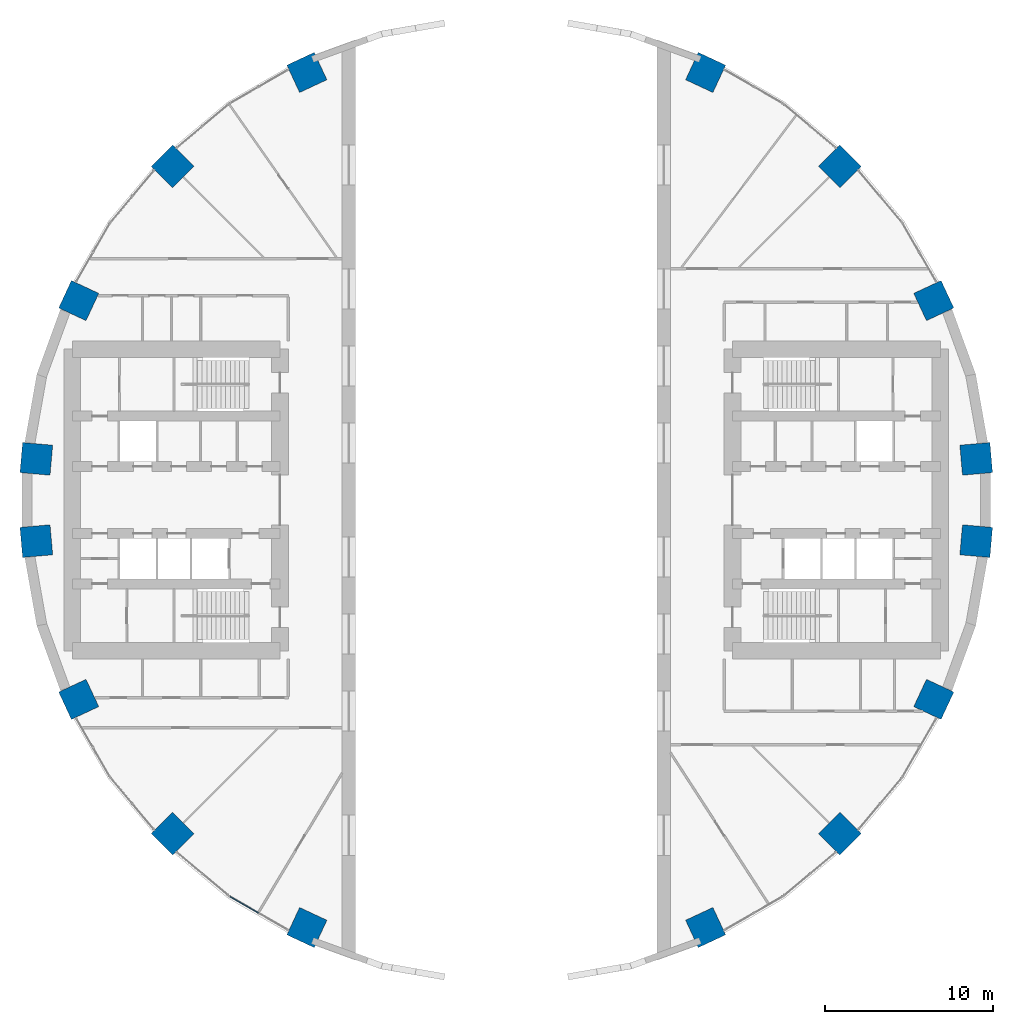
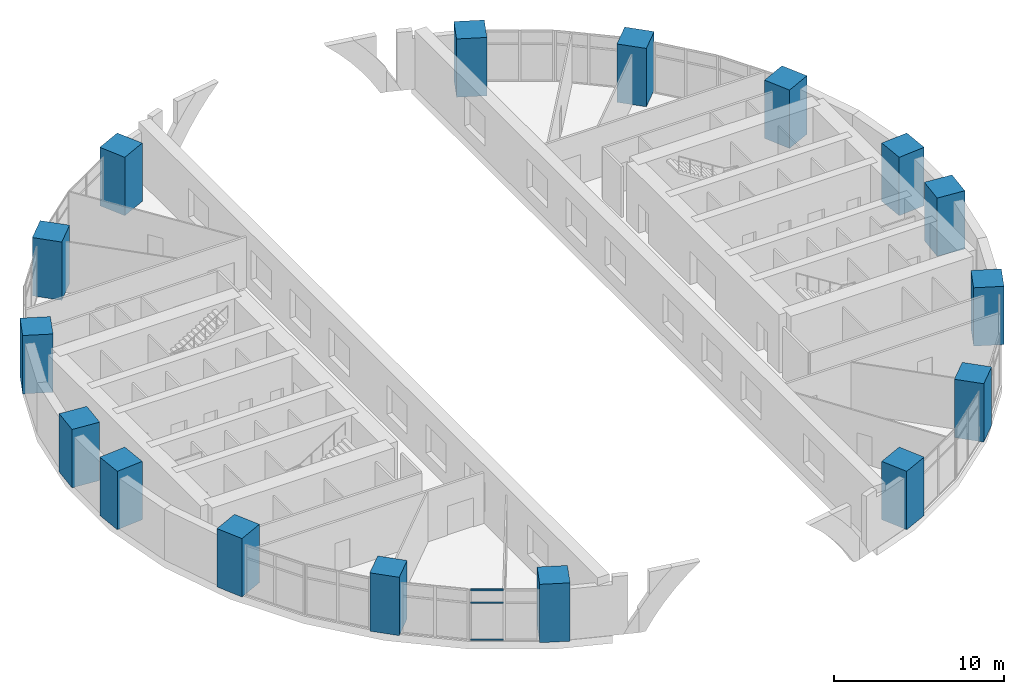
# One storey, part 1 of 13: 16 columns, 3 members, 1 element without a shape of its own.
"""IFC4 building model written with IfcOpenShell, lengths in metres."""

import ifcopenshell
import ifcopenshell.guid

model = None  # the IFC model being written
_history = None  # IfcOwnerHistory: only IFC2X3 demands one
_inside = {}  # id of a spatial element -> (the spatial element, [elements in it])
_under = {}  # id of a project, library or spatial element -> (it, [spatial elements below it])
_declared = {}  # id of a project -> (the project, [libraries it declares])
_typed = {}  # id of a type object -> (the type object, [elements of that type])
_made_of = {}  # id of a material, layer set ... -> (it, [elements and type objects made of it])


def new_model(schema):
    """Start an empty IFC model of exactly this schema.

    Asked for "IFC4X3", IfcOpenShell would pick the latest addendum, in which some entities
    have other attributes; the version numbers below select the first issue.
    IFC2X3 requires an IfcOwnerHistory on every rooted entity: one is made here for all.
    """
    global model, _history
    if schema == "IFC4X3":
        model = ifcopenshell.file(schema_version=(4, 3, 0, 0))
    else:
        model = ifcopenshell.file(schema=schema)
    _inside.clear()
    _under.clear()
    _declared.clear()
    _typed.clear()
    _made_of.clear()
    _history = None
    if model.schema == "IFC2X3":
        org = make("IfcOrganization", Name="unknown")
        user = make(
            "IfcPersonAndOrganization",
            ThePerson=make("IfcPerson", FamilyName="unknown"),
            TheOrganization=org,
        )
        app = make(
            "IfcApplication",
            ApplicationDeveloper=org,
            Version="unknown",
            ApplicationFullName="unknown",
            ApplicationIdentifier="unknown",
        )
        _history = make(
            "IfcOwnerHistory",
            OwningUser=user,
            OwningApplication=app,
            ChangeAction="ADDED",
            CreationDate=0,
        )
    return model


def make(cls, **values):
    """One entity of the class cls with the attributes given. An attribute that is None is left unset."""
    return model.create_entity(
        cls, **{name: value for name, value in values.items() if value is not None}
    )


def rooted(cls, **values):
    """An entity with a GlobalId (a new one), such as an element, a storey or a relation."""
    return make(cls, GlobalId=ifcopenshell.guid.new(), OwnerHistory=_history, **values)


def si_unit(unit_type, name, prefix=None):
    """IfcSIUnit, for example si_unit("LENGTHUNIT", "METRE", prefix="MILLI")."""
    return make("IfcSIUnit", UnitType=unit_type, Prefix=prefix, Name=name)


def assignment(units):
    """IfcUnitAssignment: the units of a project."""
    return None if units is None else make("IfcUnitAssignment", Units=units)


def point(xyz):
    """IfcCartesianPoint."""
    return None if xyz is None else make("IfcCartesianPoint", Coordinates=xyz)


def direction(xyz):
    """IfcDirection."""
    return None if xyz is None else make("IfcDirection", DirectionRatios=xyz)


def frame(location, z_axis=None, x_axis=None):
    """IfcAxis2Placement3D, a coordinate frame: its origin and axes. An axis left out is left unset."""
    return make(
        "IfcAxis2Placement3D",
        Location=point(location),
        Axis=direction(z_axis),
        RefDirection=direction(x_axis),
    )


def frame_2d(location, x_axis=None):
    """IfcAxis2Placement2D, a coordinate frame in the plane: its origin and x axis."""
    return make(
        "IfcAxis2Placement2D", Location=point(location), RefDirection=direction(x_axis)
    )


def origin():
    """The frame at (0, 0, 0) with its axes left unset."""
    return frame((0.0, 0.0, 0.0))


def origin_2d():
    """The frame at (0, 0) in the plane with its x axis left unset."""
    return frame_2d((0.0, 0.0))


def place(relative_to, where):
    """IfcLocalPlacement: puts the frame where relative to a parent placement (None: the world)."""
    return make(
        "IfcLocalPlacement", PlacementRelTo=relative_to, RelativePlacement=where
    )


def context(
    kind, dimensions, precision=None, world=None, true_north=None, identifier=None
):
    """IfcGeometricRepresentationContext, for example the 3D "Model" context."""
    return make(
        "IfcGeometricRepresentationContext",
        ContextIdentifier=identifier,
        ContextType=kind,
        CoordinateSpaceDimension=dimensions,
        Precision=precision,
        WorldCoordinateSystem=world,
        TrueNorth=true_north,
    )


def subcontext(parent, identifier, kind, view, scale=None):
    """IfcGeometricRepresentationSubContext, for example "Body" below "Model"."""
    return make(
        "IfcGeometricRepresentationSubContext",
        ContextIdentifier=identifier,
        ContextType=kind,
        ParentContext=parent,
        TargetScale=scale,
        TargetView=view,
    )


def project(units=None, contexts=None):
    """IfcProject with its units and contexts."""
    return rooted(
        "IfcProject",
        Name="project",
        RepresentationContexts=contexts,
        UnitsInContext=assignment(units),
    )


def spatial(cls, under=None, at=None, **own):
    """A site, building, storey or space (cls), placed at a placement, below another one or the project."""
    s = rooted(cls, ObjectPlacement=at, **own)
    if under is not None:
        _under.setdefault(under.id(), (under, []))[1].append(s)
    return s


def profile(cls, at=None, kind="AREA", **sizes):
    """A parametric profile (cls). Its sizes go by their IFC names, for example OverallWidth=200.0."""
    return make(cls, ProfileType=kind, Position=at, **sizes)


def rectangle(**sizes):
    """IfcRectangleProfileDef."""
    return profile("IfcRectangleProfileDef", **sizes)


def extrude(swept, where, along, depth):
    """IfcExtrudedAreaSolid: the profile swept, set in the frame where, extruded along a direction by depth."""
    return make(
        "IfcExtrudedAreaSolid",
        SweptArea=swept,
        Position=where,
        ExtrudedDirection=direction(along),
        Depth=depth,
    )


def shape(context_of_items, identifier, shape_type, items):
    """IfcShapeRepresentation: the items that make up one representation, for example the "Body"."""
    return make(
        "IfcShapeRepresentation",
        ContextOfItems=context_of_items,
        RepresentationIdentifier=identifier,
        RepresentationType=shape_type,
        Items=items,
    )


def material(Name=None, Category=None):
    """IfcMaterial."""
    return make("IfcMaterial", Name=Name, Category=Category)


def layer(
    of_material, thickness, ventilated=None, Name=None, Category=None, Priority=None
):
    """IfcMaterialLayer: one layer of a wall or slab, of a material (None: an air gap)."""
    return make(
        "IfcMaterialLayer",
        Material=of_material,
        LayerThickness=thickness,
        IsVentilated=ventilated,
        Name=Name,
        Category=Category,
        Priority=Priority,
    )


def layer_set(layers, Name=None):
    """IfcMaterialLayerSet."""
    return make("IfcMaterialLayerSet", MaterialLayers=layers, LayerSetName=Name)


def material_profile(
    of_material, cross_section, Name=None, Category=None, Priority=None
):
    """IfcMaterialProfile: a cross section and its material."""
    return make(
        "IfcMaterialProfile",
        Name=Name,
        Material=of_material,
        Profile=cross_section,
        Priority=Priority,
        Category=Category,
    )


def profile_set(profiles, Name=None, composite=None):
    """IfcMaterialProfileSet."""
    return make(
        "IfcMaterialProfileSet",
        Name=Name,
        MaterialProfiles=profiles,
        CompositeProfile=composite,
    )


def made_of(thing, what):
    """Note that an element or type object is made of a material, layer set ...; save() writes the relation."""
    if what is not None:
        _made_of.setdefault(what.id(), (what, []))[1].append(thing)
    return thing


def type_object(cls, material=None, **own):
    """A type object (cls), such as IfcWallType, which elements share."""
    return made_of(rooted(cls, **own), material)


def element(
    cls,
    number,
    at=None,
    inside=None,
    cuts=None,
    type_object=None,
    material=None,
    context=None,
    identifier="Body",
    shape_type=None,
    held_by="IfcProductDefinitionShape",
    body=None,
    shapes=None,
    **own,
):
    """One element of the class cls, such as IfcWall. Its Tag is "e" and its number.

    at: its placement. inside: the storey or other place that contains it. cuts: it is an
    opening in that element (IfcRelVoidsElement). A single representation is given by context,
    identifier, shape_type and body (its items); several are given by shapes. held_by: the class
    of the entity that holds the representations. save() writes the other relations.
    """
    e = rooted(cls, Tag="e%d" % number, ObjectPlacement=at, **own)
    if body is not None:
        shapes = [shape(context, identifier, shape_type, body)]
    if shapes is not None:
        e.Representation = make(held_by, Representations=shapes)
    if inside is not None:
        _inside.setdefault(inside.id(), (inside, []))[1].append(e)
    if cuts is not None:
        rooted(
            "IfcRelVoidsElement", RelatingBuildingElement=cuts, RelatedOpeningElement=e
        )
    if type_object is not None:
        _typed.setdefault(type_object.id(), (type_object, []))[1].append(e)
    return made_of(e, material)


def aggregate(whole, parts):
    """IfcRelAggregates: a whole, such as a stair, and the parts it consists of."""
    return rooted("IfcRelAggregates", RelatingObject=whole, RelatedObjects=parts)


def save(model, path):
    """Write the relations noted so far, then the file.

    IfcRelAggregates (storeys below a building ...), IfcRelContainedInSpatialStructure (elements
    in a storey), IfcRelDefinesByType, IfcRelAssociatesMaterial and IfcRelDeclares: one each for
    every whole, place, type object, material and project.
    """
    for whole, parts in _under.values():
        aggregate(whole, parts)
    for where, things in _inside.values():
        rooted(
            "IfcRelContainedInSpatialStructure",
            RelatedElements=things,
            RelatingStructure=where,
        )
    for kind, things in _typed.values():
        rooted("IfcRelDefinesByType", RelatedObjects=things, RelatingType=kind)
    for what, things in _made_of.values():
        rooted("IfcRelAssociatesMaterial", RelatedObjects=things, RelatingMaterial=what)
    for by, libraries in _declared.values():
        rooted("IfcRelDeclares", RelatingContext=by, RelatedDefinitions=libraries)
    model.write(path)


model = new_model("IFC4")

# Units and contexts
model_context = context("Model", 3, precision=1e-05, world=origin(), true_north=direction((0.0, 1.0)))
body_context = subcontext(model_context, "Body", "Model", "MODEL_VIEW")
ifc_project = project(units=[si_unit("LENGTHUNIT", "METRE"), si_unit("AREAUNIT", "SQUARE_METRE"), si_unit("VOLUMEUNIT", "CUBIC_METRE"), si_unit("PLANEANGLEUNIT", "RADIAN"), si_unit("MASSUNIT", "GRAM", prefix="KILO")], contexts=[model_context])

# Site, building, storey
site_placement = place(None, origin())
site = spatial("IfcSite", under=ifc_project, at=site_placement, CompositionType="ELEMENT")
building_placement = place(site_placement, origin())
building = spatial("IfcBuilding", under=site, at=building_placement, Name="Saqina Gate Tower", CompositionType="ELEMENT")
storey_placement = place(building_placement, frame((0.0, 0.0, 13.39990234375)))
storey = spatial("IfcBuildingStorey", under=building, at=storey_placement, Name="L03", CompositionType="ELEMENT", Elevation=13.39990234375)

# Columns
ifc_material_1 = material(Name="Concrete C70/85", Category="concrete")
ifc_material_profile_1 = material_profile(ifc_material_1, rectangle(XDim=1.800048828125, YDim=1.800048828125, at=origin_2d()), Name="RC 1800x1800")
ifc_profile_set_1 = profile_set([ifc_material_profile_1], Name="Concrete C70/85")
column_type = type_object("IfcColumnType", Name="STR-COL-MEGA-P", PredefinedType="COLUMN", material=ifc_profile_set_1)
for number, where, z_axis, x_axis, name in (
    (1, (28.04296875, 2.453369140625, 0.0), (0.0, 0.0, 1.0), (0.996194698092, 0.087155742748, 0.0), "L03-COL01"),
    (2, (25.512451171875, 11.896728515625, 0.0), (0.0, 0.0, 1.0), (0.906307787037, 0.422618261741, 0.0), "L03-COL03"),
    (3, (19.905029296875, 19.905029296875, 0.0), (0.0, 0.0, 1.0), (0.707106781187, 0.707106781187, 0.0), "L03-COL05"),
    (4, (11.896728515625, 25.512451171875, 0.0), (0.0, 0.0, 1.0), (0.422618261741, 0.906307787037, 0.0), "L03-COL07"),
    (5, (-11.896728515625, 25.512451171875, 0.0), (0.0, 0.0, 1.0), (-0.422618261741, 0.906307787037, 0.0), "L03-COL12"),
    (6, (-19.905029296875, 19.905029296875, 0.0), (0.0, 0.0, 1.0), (-0.707106781187, 0.707106781187, 0.0), "L03-COL14"),
    (7, (-25.512451171875, 11.896728515625, 0.0), (0.0, 0.0, 1.0), (-0.906307787037, 0.422618261741, 0.0), "L03-COL16"),
    (8, (-28.04296875, 2.453369140625, 0.0), (0.0, 0.0, 1.0), (-0.996194698092, 0.087155742748, 0.0), "L03-COL18"),
    (9, (-28.04296875, -2.453369140625, 0.0), (0.0, 0.0, 1.0), (-0.996194698092, -0.087155742748, 0.0), "L03-COL19"),
    (10, (-25.512451171875, -11.896728515625, 0.0), (0.0, 0.0, 1.0), (-0.906307787037, -0.422618261741, 0.0), "L03-COL21"),
    (11, (-19.905029296875, -19.905029296875, 0.0), (0.0, 0.0, 1.0), (-0.707106781187, -0.707106781187, 0.0), "L03-COL23"),
    (12, (-11.896728515625, -25.512451171875, 0.0), (0.0, 0.0, 1.0), (-0.422618261741, -0.906307787037, 0.0), "L03-COL25"),
    (13, (11.896728515625, -25.512451171875, 0.0), (0.0, 0.0, 1.0), (0.422618261741, -0.906307787037, 0.0), "L03-COL30"),
    (14, (19.905029296875, -19.905029296875, 0.0), (0.0, 0.0, 1.0), (0.707106781187, -0.707106781187, 0.0), "L03-COL32"),
    (15, (25.512451171875, -11.896728515625, 0.0), (0.0, 0.0, 1.0), (0.906307787037, -0.422618261741, 0.0), "L03-COL34"),
    (16, (28.04296875, -2.453369140625, 0.0), (0.0, 0.0, 1.0), (0.996194698092, -0.087155742748, 0.0), "L03-COL36"),
):
    element("IfcColumn", number, at=place(storey_placement, frame(where, z_axis=z_axis, x_axis=x_axis)), inside=storey, type_object=column_type, Name=name, PredefinedType="COLUMN", context=body_context, shape_type="SweptSolid", body=[
        extrude(rectangle(XDim=1.800048828125, YDim=1.800048828125, at=origin_2d()), origin(), (0.0, 0.0, 1.0), 4.2001953125),
    ])

# Curtain wall, members
ifc_material_2 = material(Name="Aluminium glazing", Category="aluminium")
ifc_layer = layer(ifc_material_2, 0.159912109375)
ifc_layer_set = layer_set([ifc_layer], Name="CWT-1")
curtain_wall_type = type_object("IfcCurtainWallType", Name="CWT-1", PredefinedType="NOTDEFINED", material=ifc_layer_set)
curtain_wall_placement = place(storey_placement, origin())
curtain_wall = element("IfcCurtainWall", 17, at=curtain_wall_placement, inside=storey, type_object=curtain_wall_type, Name="Podium shopfront facet 24", PredefinedType="NOTDEFINED")
ifc_material_3 = material(Name="Aluminium", Category="aluminium")
ifc_material_profile_2 = material_profile(ifc_material_3, rectangle(XDim=0.06005859375, YDim=0.1201171875, at=origin_2d()), Name="Aluminium 60x120")
ifc_profile_set_2 = profile_set([ifc_material_profile_2], Name="Aluminium")
member_type = type_object("IfcMemberType", Name="CWT-1T", PredefinedType="USERDEFINED", material=ifc_profile_set_2)
member_1_placement = place(storey_placement, frame((-16.480712890625, -23.67041015625, 0.030029296875), z_axis=(0.866001600736, -0.500041225824, 0.0), x_axis=(0.500041225824, 0.866001600736, 0.0)))
member_1 = element("IfcMember", 18, at=member_1_placement, type_object=member_type, Name="CW1-24 transom 1.1", ObjectType="TRANSOM", PredefinedType="USERDEFINED", context=body_context, shape_type="SweptSolid", body=[
    extrude(rectangle(XDim=0.06005859375, YDim=0.1201171875, at=origin_2d()), origin(), (0.0, 0.0, 1.0), 1.944580078125),
])
member_2_placement = place(storey_placement, frame((-16.480712890625, -23.67041015625, 2.7001953125), z_axis=(0.866001600736, -0.500041225824, 0.0), x_axis=(0.500041225824, 0.866001600736, 0.0)))
member_2 = element("IfcMember", 19, at=member_2_placement, type_object=member_type, Name="CW1-24 transom 1.2", ObjectType="TRANSOM", PredefinedType="USERDEFINED", context=body_context, shape_type="SweptSolid", body=[
    extrude(rectangle(XDim=0.06005859375, YDim=0.1201171875, at=origin_2d()), origin(), (0.0, 0.0, 1.0), 1.944580078125),
])
member_3_placement = place(storey_placement, frame((-16.480712890625, -23.67041015625, 3.6201171875), z_axis=(0.866001600736, -0.500041225824, 0.0), x_axis=(0.500041225824, 0.866001600736, 0.0)))
member_3 = element("IfcMember", 20, at=member_3_placement, type_object=member_type, Name="CW1-24 transom 1.3", ObjectType="TRANSOM", PredefinedType="USERDEFINED", context=body_context, shape_type="SweptSolid", body=[
    extrude(rectangle(XDim=0.06005859375, YDim=0.1201171875, at=origin_2d()), origin(), (0.0, 0.0, 1.0), 1.944580078125),
])
aggregate(curtain_wall, [member_1, member_2, member_3])

save(model, "model.ifc")
